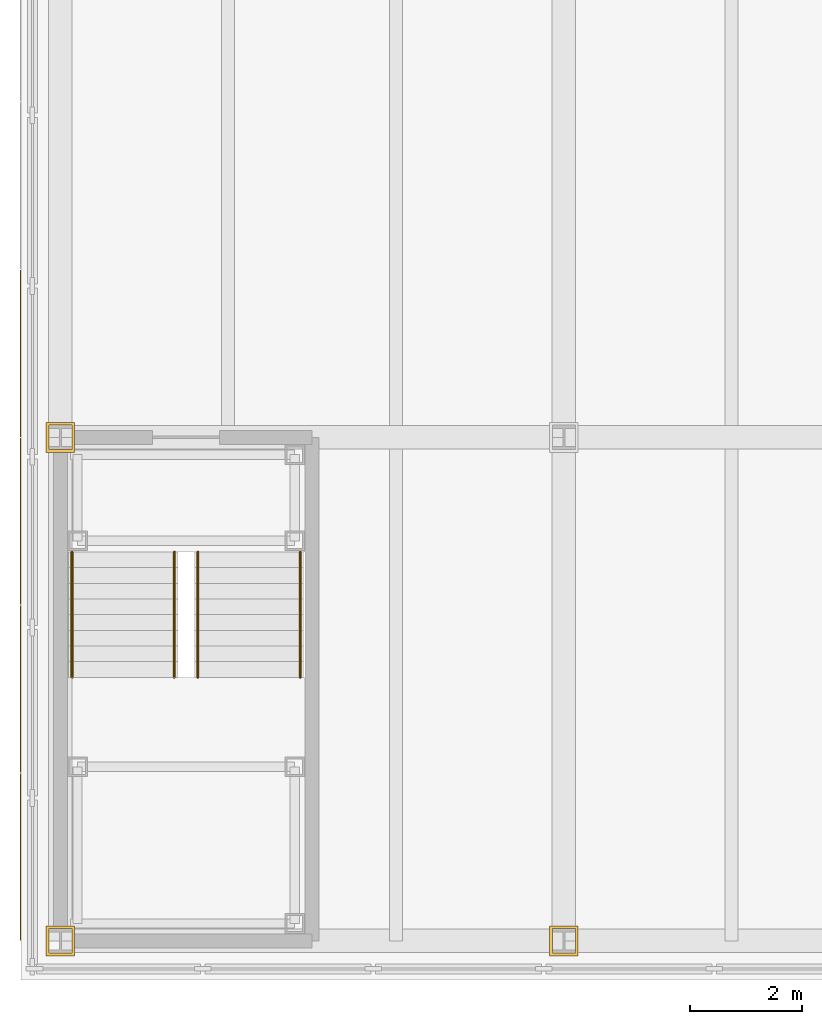
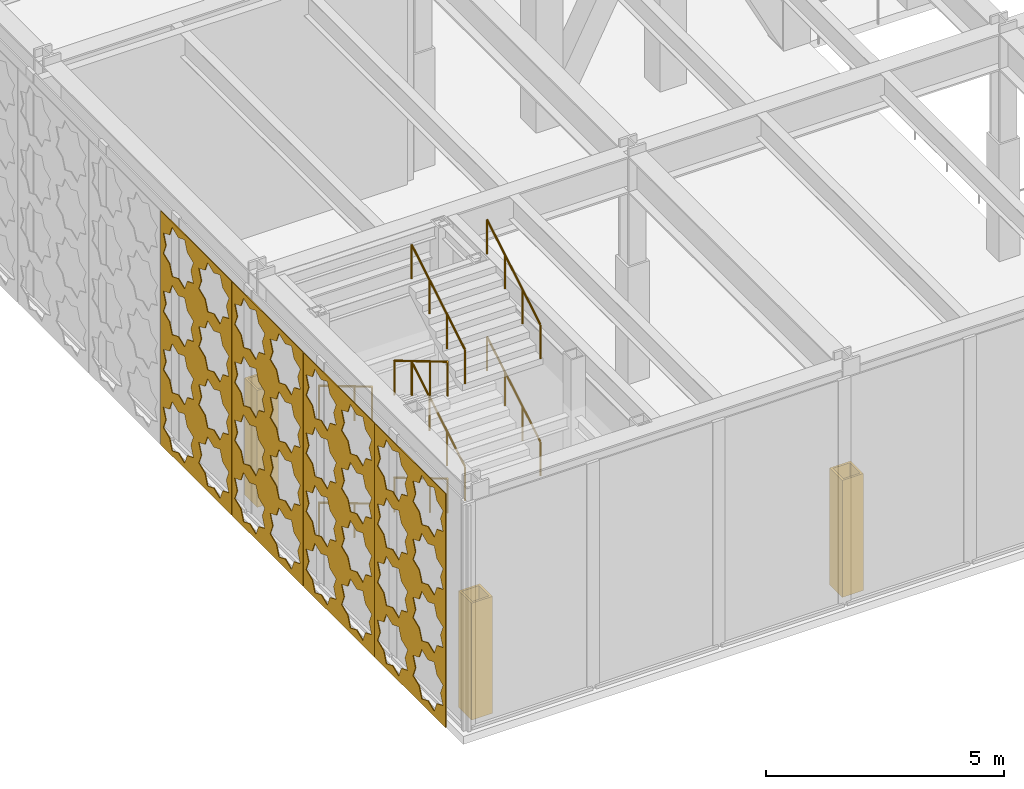
# One storey, part 23 of 32: 8 railings, 4 shading devices, 3 coverings.
"""IFC4 building model written with IfcOpenShell, lengths in metres."""

from ifc_helpers import new_model, si_unit, direction, frame, origin, origin_2d, place, context, subcontext, project, spatial, polyline, circle, outline, extrude, material, layer, layer_set, type_object, element, save


model = new_model("IFC4")

# Units and contexts
model_context = context("Model", 3, precision=1e-05, world=origin(), true_north=direction((0.0, 1.0)))
body_context = subcontext(model_context, "Body", "Model", "MODEL_VIEW")
ifc_project = project(units=[si_unit("LENGTHUNIT", "METRE"), si_unit("AREAUNIT", "SQUARE_METRE"), si_unit("VOLUMEUNIT", "CUBIC_METRE"), si_unit("PLANEANGLEUNIT", "RADIAN"), si_unit("MASSUNIT", "GRAM", prefix="KILO")], contexts=[model_context])

# Site, building, storey
site_placement = place(None, origin())
site = spatial("IfcSite", under=ifc_project, at=site_placement, CompositionType="ELEMENT")
building_placement = place(site_placement, origin())
building = spatial("IfcBuilding", under=site, at=building_placement, Name="Chuquiago Exchange Tower", CompositionType="ELEMENT")
storey_placement = place(building_placement, frame((0.0, 0.0, 13.5)))
storey = spatial("IfcBuildingStorey", under=building, at=storey_placement, Name="L02", CompositionType="ELEMENT", Elevation=13.5)

# Coverings
ifc_material_1 = material(Name="Pale metal sheet casing on rails", Category="aluminium")
ifc_layer_1 = layer(ifc_material_1, 0.050048828125)
ifc_layer_set_1 = layer_set([ifc_layer_1], Name="CS1 column casing 50")
covering_type = type_object("IfcCoveringType", Name="CS1 column casing 50", PredefinedType="CLADDING", material=ifc_layer_set_1)
covering_1_placement = place(storey_placement, origin())
element("IfcCovering", 1, at=covering_1_placement, inside=storey, type_object=covering_type, Name="Column casing L02", PredefinedType="CLADDING", context=body_context, shape_type="SweptSolid", body=[
    extrude(outline(polyline([(-9.255615234375, -18.26708984375), (-8.744384765625, -18.26708984375), (-8.744384765625, -17.73291015625), (-9.255615234375, -17.73291015625), (-9.255615234375, -18.26708984375)]), holes=[polyline([(-9.205810546875, -18.21728515625), (-9.205810546875, -17.78271484375), (-8.794189453125, -17.78271484375), (-8.794189453125, -18.21728515625), (-9.205810546875, -18.21728515625)])]), origin(), (0.0, 0.0, 1.0), 3.0),
])
covering_2_placement = place(storey_placement, origin())
element("IfcCovering", 2, at=covering_2_placement, inside=storey, type_object=covering_type, Name="Column casing L02", PredefinedType="CLADDING", context=body_context, shape_type="SweptSolid", body=[
    extrude(outline(polyline([(-9.255615234375, -9.26708984375), (-8.744384765625, -9.26708984375), (-8.744384765625, -8.73291015625), (-9.255615234375, -8.73291015625), (-9.255615234375, -9.26708984375)]), holes=[polyline([(-9.205810546875, -9.21728515625), (-9.205810546875, -8.78271484375), (-8.794189453125, -8.78271484375), (-8.794189453125, -9.21728515625), (-9.205810546875, -9.21728515625)])]), origin(), (0.0, 0.0, 1.0), 3.0),
])
covering_3_placement = place(storey_placement, origin())
element("IfcCovering", 3, at=covering_3_placement, inside=storey, type_object=covering_type, Name="Column casing L02", PredefinedType="CLADDING", context=body_context, shape_type="SweptSolid", body=[
    extrude(outline(polyline([(-0.255615234375, -18.26708984375), (0.255615234375, -18.26708984375), (0.255615234375, -17.73291015625), (-0.255615234375, -17.73291015625), (-0.255615234375, -18.26708984375)]), holes=[polyline([(-0.205810546875, -18.21728515625), (-0.205810546875, -17.78271484375), (0.205810546875, -17.78271484375), (0.205810546875, -18.21728515625), (-0.205810546875, -18.21728515625)])]), origin(), (0.0, 0.0, 1.0), 3.0),
])

# Railings
ifc_material_2 = material(Name="Pale metal handrail", Category="steel")
railing_type = type_object("IfcRailingType", Name="HR1 handrail 900", PredefinedType="HANDRAIL", material=ifc_material_2)
for number, where, name in (
    (4, (-8.7900390625, -11.050048828125, 0.166748046875), "Handrail PS1 L02 flight 1"),
    (5, (-6.9599609375, -11.050048828125, 0.166748046875), "Handrail PS1 L02 flight 1"),
):
    element("IfcRailing", number, at=place(storey_placement, frame(where)), inside=storey, type_object=railing_type, Name=name, PredefinedType="HANDRAIL", context=body_context, shape_type="SweptSolid", body=[
        extrude(circle(Radius=0.02392578125, at=origin_2d()), frame((0.0, 0.0, 0.8759765625), z_axis=(0.0, -0.859305625298, 0.511462454469), x_axis=(1.0, 0.0, 0.0)), (0.0, 0.0, 1.0), 2.606689453125),
        extrude(circle(Radius=0.02099609375, at=origin_2d()), origin(), (0.0, 0.0, 1.0), 0.851806640625),
        extrude(circle(Radius=0.02099609375, at=origin_2d()), frame((0.0, -0.74658203125, 0.4443359375)), (0.0, 0.0, 1.0), 0.851806640625),
        extrude(circle(Radius=0.02099609375, at=origin_2d()), frame((0.0, -1.493408203125, 0.888916015625)), (0.0, 0.0, 1.0), 0.851806640625),
        extrude(circle(Radius=0.02099609375, at=origin_2d()), frame((0.0, -2.239990234375, 1.333251953125)), (0.0, 0.0, 1.0), 0.851806640625),
    ])
for number, where, name in (
    (6, (-4.7099609375, -13.2900390625, 1.666748046875), "Handrail PS1 L02 flight 2"),
    (7, (-6.5400390625, -13.2900390625, 1.666748046875), "Handrail PS1 L02 flight 2"),
):
    element("IfcRailing", number, at=place(storey_placement, frame(where)), inside=storey, type_object=railing_type, Name=name, PredefinedType="HANDRAIL", context=body_context, shape_type="SweptSolid", body=[
        extrude(circle(Radius=0.02392578125, at=origin_2d()), frame((0.0, 0.0, 0.8759765625), z_axis=(0.0, 0.859305625298, 0.511462454469), x_axis=(-1.0, 0.0, 0.0)), (0.0, 0.0, 1.0), 2.606689453125),
        extrude(circle(Radius=0.02099609375, at=origin_2d()), origin(), (0.0, 0.0, 1.0), 0.851806640625),
        extrude(circle(Radius=0.02099609375, at=origin_2d()), frame((0.0, 0.74658203125, 0.4443359375)), (0.0, 0.0, 1.0), 0.851806640625),
        extrude(circle(Radius=0.02099609375, at=origin_2d()), frame((0.0, 1.493408203125, 0.888916015625)), (0.0, 0.0, 1.0), 0.851806640625),
        extrude(circle(Radius=0.02099609375, at=origin_2d()), frame((0.0, 2.239990234375, 1.333251953125)), (0.0, 0.0, 1.0), 0.851806640625),
    ])
for number, where, name in (
    (8, (-8.7900390625, -11.050048828125, 3.166748046875), "Handrail PS1 L02 flight 3"),
    (9, (-6.9599609375, -11.050048828125, 3.166748046875), "Handrail PS1 L02 flight 3"),
):
    element("IfcRailing", number, at=place(storey_placement, frame(where)), inside=storey, type_object=railing_type, Name=name, PredefinedType="HANDRAIL", context=body_context, shape_type="SweptSolid", body=[
        extrude(circle(Radius=0.02392578125, at=origin_2d()), frame((0.0, 0.0, 0.8759765625), z_axis=(0.0, -0.859305625298, 0.511462454469), x_axis=(1.0, 0.0, 0.0)), (0.0, 0.0, 1.0), 2.606689453125),
        extrude(circle(Radius=0.02099609375, at=origin_2d()), origin(), (0.0, 0.0, 1.0), 0.851806640625),
        extrude(circle(Radius=0.02099609375, at=origin_2d()), frame((0.0, -0.74658203125, 0.4443359375)), (0.0, 0.0, 1.0), 0.851806640625),
        extrude(circle(Radius=0.02099609375, at=origin_2d()), frame((0.0, -1.493408203125, 0.888916015625)), (0.0, 0.0, 1.0), 0.851806640625),
        extrude(circle(Radius=0.02099609375, at=origin_2d()), frame((0.0, -2.239990234375, 1.333251953125)), (0.0, 0.0, 1.0), 0.851806640625),
    ])
for number, where, name in (
    (10, (-4.7099609375, -13.2900390625, 4.666748046875), "Handrail PS1 L02 flight 4"),
    (11, (-6.5400390625, -13.2900390625, 4.666748046875), "Handrail PS1 L02 flight 4"),
):
    element("IfcRailing", number, at=place(storey_placement, frame(where)), inside=storey, type_object=railing_type, Name=name, PredefinedType="HANDRAIL", context=body_context, shape_type="SweptSolid", body=[
        extrude(circle(Radius=0.02392578125, at=origin_2d()), frame((0.0, 0.0, 0.8759765625), z_axis=(0.0, 0.859305625298, 0.511462454469), x_axis=(-1.0, 0.0, 0.0)), (0.0, 0.0, 1.0), 2.606689453125),
        extrude(circle(Radius=0.02099609375, at=origin_2d()), origin(), (0.0, 0.0, 1.0), 0.851806640625),
        extrude(circle(Radius=0.02099609375, at=origin_2d()), frame((0.0, 0.74658203125, 0.4443359375)), (0.0, 0.0, 1.0), 0.851806640625),
        extrude(circle(Radius=0.02099609375, at=origin_2d()), frame((0.0, 1.493408203125, 0.888916015625)), (0.0, 0.0, 1.0), 0.851806640625),
        extrude(circle(Radius=0.02099609375, at=origin_2d()), frame((0.0, 2.239990234375, 1.333251953125)), (0.0, 0.0, 1.0), 0.851806640625),
    ])

# Shading devices
ifc_material_3 = material(Name="Pale metal, perforated in an eight-point star pattern", Category="aluminium")
ifc_layer_2 = layer(ifc_material_3, 0.02001953125)
ifc_layer_set_2 = layer_set([ifc_layer_2], Name="SC1 mashrabiya screen 20")
shading_device_type = type_object("IfcShadingDeviceType", Name="SC1 mashrabiya screen 20", PredefinedType="SHUTTER", material=ifc_layer_set_2)
shading_device_1_placement = place(storey_placement, frame((-9.699951171875, -15.010009765625, -0.199951171875), z_axis=(0.0, 0.0, 1.0), x_axis=(0.0, -1.0, 0.0)))
element("IfcShadingDevice", 12, at=shading_device_1_placement, inside=storey, type_object=shading_device_type, Name="Mashrabiya screen L02 W 1", PredefinedType="SHUTTER", context=body_context, shape_type="SweptSolid", body=[
    extrude(outline(polyline([(0.0, 0.0), (2.97998046875, 0.0), (2.97998046875, 6.0), (0.0, 6.0), (0.0, 0.0)]), holes=[polyline([(1.26953125, 0.764892578125), (1.378173828125, 1.02734375), (1.115966796875, 1.135986328125), (1.00732421875, 1.398193359375), (0.7451171875, 1.28955078125), (0.482666015625, 1.398193359375), (0.3740234375, 1.135986328125), (0.11181640625, 1.02734375), (0.220458984375, 0.764892578125), (0.11181640625, 0.502685546875), (0.3740234375, 0.39404296875), (0.482666015625, 0.1318359375), (0.7451171875, 0.240234375), (1.00732421875, 0.1318359375), (1.115966796875, 0.39404296875), (1.378173828125, 0.502685546875), (1.26953125, 0.764892578125)]), polyline([(2.759521484375, 0.764892578125), (2.8681640625, 1.02734375), (2.60595703125, 1.135986328125), (2.497314453125, 1.398193359375), (2.235107421875, 1.28955078125), (1.97265625, 1.398193359375), (1.864013671875, 1.135986328125), (1.601806640625, 1.02734375), (1.71044921875, 0.764892578125), (1.601806640625, 0.502685546875), (1.864013671875, 0.39404296875), (1.97265625, 0.1318359375), (2.235107421875, 0.240234375), (2.497314453125, 0.1318359375), (2.60595703125, 0.39404296875), (2.8681640625, 0.502685546875), (2.759521484375, 0.764892578125)]), polyline([(1.26953125, 2.2548828125), (1.378173828125, 2.517333984375), (1.115966796875, 2.6259765625), (1.00732421875, 2.88818359375), (0.7451171875, 2.779541015625), (0.482666015625, 2.88818359375), (0.3740234375, 2.6259765625), (0.11181640625, 2.517333984375), (0.220458984375, 2.2548828125), (0.11181640625, 1.99267578125), (0.3740234375, 1.884033203125), (0.482666015625, 1.621826171875), (0.7451171875, 1.73046875), (1.00732421875, 1.621826171875), (1.115966796875, 1.884033203125), (1.378173828125, 1.99267578125), (1.26953125, 2.2548828125)]), polyline([(2.759521484375, 2.2548828125), (2.8681640625, 2.517333984375), (2.60595703125, 2.6259765625), (2.497314453125, 2.88818359375), (2.235107421875, 2.779541015625), (1.97265625, 2.88818359375), (1.864013671875, 2.6259765625), (1.601806640625, 2.517333984375), (1.71044921875, 2.2548828125), (1.601806640625, 1.99267578125), (1.864013671875, 1.884033203125), (1.97265625, 1.621826171875), (2.235107421875, 1.73046875), (2.497314453125, 1.621826171875), (2.60595703125, 1.884033203125), (2.8681640625, 1.99267578125), (2.759521484375, 2.2548828125)]), polyline([(1.26953125, 3.744873046875), (1.378173828125, 4.00732421875), (1.115966796875, 4.115966796875), (1.00732421875, 4.378173828125), (0.7451171875, 4.26953125), (0.482666015625, 4.378173828125), (0.3740234375, 4.115966796875), (0.11181640625, 4.00732421875), (0.220458984375, 3.744873046875), (0.11181640625, 3.482666015625), (0.3740234375, 3.3740234375), (0.482666015625, 3.11181640625), (0.7451171875, 3.220458984375), (1.00732421875, 3.11181640625), (1.115966796875, 3.3740234375), (1.378173828125, 3.482666015625), (1.26953125, 3.744873046875)]), polyline([(2.759521484375, 3.744873046875), (2.8681640625, 4.00732421875), (2.60595703125, 4.115966796875), (2.497314453125, 4.378173828125), (2.235107421875, 4.26953125), (1.97265625, 4.378173828125), (1.864013671875, 4.115966796875), (1.601806640625, 4.00732421875), (1.71044921875, 3.744873046875), (1.601806640625, 3.482666015625), (1.864013671875, 3.3740234375), (1.97265625, 3.11181640625), (2.235107421875, 3.220458984375), (2.497314453125, 3.11181640625), (2.60595703125, 3.3740234375), (2.8681640625, 3.482666015625), (2.759521484375, 3.744873046875)]), polyline([(1.26953125, 5.23486328125), (1.378173828125, 5.497314453125), (1.115966796875, 5.60595703125), (1.00732421875, 5.8681640625), (0.7451171875, 5.759521484375), (0.482666015625, 5.8681640625), (0.3740234375, 5.60595703125), (0.11181640625, 5.497314453125), (0.220458984375, 5.23486328125), (0.11181640625, 4.97265625), (0.3740234375, 4.864013671875), (0.482666015625, 4.601806640625), (0.7451171875, 4.71044921875), (1.00732421875, 4.601806640625), (1.115966796875, 4.864013671875), (1.378173828125, 4.97265625), (1.26953125, 5.23486328125)]), polyline([(2.759521484375, 5.23486328125), (2.8681640625, 5.497314453125), (2.60595703125, 5.60595703125), (2.497314453125, 5.8681640625), (2.235107421875, 5.759521484375), (1.97265625, 5.8681640625), (1.864013671875, 5.60595703125), (1.601806640625, 5.497314453125), (1.71044921875, 5.23486328125), (1.601806640625, 4.97265625), (1.864013671875, 4.864013671875), (1.97265625, 4.601806640625), (2.235107421875, 4.71044921875), (2.497314453125, 4.601806640625), (2.60595703125, 4.864013671875), (2.8681640625, 4.97265625), (2.759521484375, 5.23486328125)])]), frame((0.0, 0.0, 0.0), z_axis=(0.0, -1.0, 0.0), x_axis=(1.0, 0.0, 0.0)), (0.0, 0.0, 1.0), 0.02001953125),
])
shading_device_2_placement = place(storey_placement, frame((-9.699951171875, -12.010009765625, -0.199951171875), z_axis=(0.0, 0.0, 1.0), x_axis=(0.0, -1.0, 0.0)))
element("IfcShadingDevice", 13, at=shading_device_2_placement, inside=storey, type_object=shading_device_type, Name="Mashrabiya screen L02 W 2", PredefinedType="SHUTTER", context=body_context, shape_type="SweptSolid", body=[
    extrude(outline(polyline([(0.0, 0.0), (2.97998046875, 0.0), (2.97998046875, 6.0), (0.0, 6.0), (0.0, 0.0)]), holes=[polyline([(1.26953125, 0.764892578125), (1.378173828125, 1.02734375), (1.115966796875, 1.135986328125), (1.00732421875, 1.398193359375), (0.7451171875, 1.28955078125), (0.482666015625, 1.398193359375), (0.3740234375, 1.135986328125), (0.11181640625, 1.02734375), (0.220458984375, 0.764892578125), (0.11181640625, 0.502685546875), (0.3740234375, 0.39404296875), (0.482666015625, 0.1318359375), (0.7451171875, 0.240234375), (1.00732421875, 0.1318359375), (1.115966796875, 0.39404296875), (1.378173828125, 0.502685546875), (1.26953125, 0.764892578125)]), polyline([(2.759521484375, 0.764892578125), (2.8681640625, 1.02734375), (2.60595703125, 1.135986328125), (2.497314453125, 1.398193359375), (2.235107421875, 1.28955078125), (1.97265625, 1.398193359375), (1.864013671875, 1.135986328125), (1.601806640625, 1.02734375), (1.71044921875, 0.764892578125), (1.601806640625, 0.502685546875), (1.864013671875, 0.39404296875), (1.97265625, 0.1318359375), (2.235107421875, 0.240234375), (2.497314453125, 0.1318359375), (2.60595703125, 0.39404296875), (2.8681640625, 0.502685546875), (2.759521484375, 0.764892578125)]), polyline([(1.26953125, 2.2548828125), (1.378173828125, 2.517333984375), (1.115966796875, 2.6259765625), (1.00732421875, 2.88818359375), (0.7451171875, 2.779541015625), (0.482666015625, 2.88818359375), (0.3740234375, 2.6259765625), (0.11181640625, 2.517333984375), (0.220458984375, 2.2548828125), (0.11181640625, 1.99267578125), (0.3740234375, 1.884033203125), (0.482666015625, 1.621826171875), (0.7451171875, 1.73046875), (1.00732421875, 1.621826171875), (1.115966796875, 1.884033203125), (1.378173828125, 1.99267578125), (1.26953125, 2.2548828125)]), polyline([(2.759521484375, 2.2548828125), (2.8681640625, 2.517333984375), (2.60595703125, 2.6259765625), (2.497314453125, 2.88818359375), (2.235107421875, 2.779541015625), (1.97265625, 2.88818359375), (1.864013671875, 2.6259765625), (1.601806640625, 2.517333984375), (1.71044921875, 2.2548828125), (1.601806640625, 1.99267578125), (1.864013671875, 1.884033203125), (1.97265625, 1.621826171875), (2.235107421875, 1.73046875), (2.497314453125, 1.621826171875), (2.60595703125, 1.884033203125), (2.8681640625, 1.99267578125), (2.759521484375, 2.2548828125)]), polyline([(1.26953125, 3.744873046875), (1.378173828125, 4.00732421875), (1.115966796875, 4.115966796875), (1.00732421875, 4.378173828125), (0.7451171875, 4.26953125), (0.482666015625, 4.378173828125), (0.3740234375, 4.115966796875), (0.11181640625, 4.00732421875), (0.220458984375, 3.744873046875), (0.11181640625, 3.482666015625), (0.3740234375, 3.3740234375), (0.482666015625, 3.11181640625), (0.7451171875, 3.220458984375), (1.00732421875, 3.11181640625), (1.115966796875, 3.3740234375), (1.378173828125, 3.482666015625), (1.26953125, 3.744873046875)]), polyline([(2.759521484375, 3.744873046875), (2.8681640625, 4.00732421875), (2.60595703125, 4.115966796875), (2.497314453125, 4.378173828125), (2.235107421875, 4.26953125), (1.97265625, 4.378173828125), (1.864013671875, 4.115966796875), (1.601806640625, 4.00732421875), (1.71044921875, 3.744873046875), (1.601806640625, 3.482666015625), (1.864013671875, 3.3740234375), (1.97265625, 3.11181640625), (2.235107421875, 3.220458984375), (2.497314453125, 3.11181640625), (2.60595703125, 3.3740234375), (2.8681640625, 3.482666015625), (2.759521484375, 3.744873046875)]), polyline([(1.26953125, 5.23486328125), (1.378173828125, 5.497314453125), (1.115966796875, 5.60595703125), (1.00732421875, 5.8681640625), (0.7451171875, 5.759521484375), (0.482666015625, 5.8681640625), (0.3740234375, 5.60595703125), (0.11181640625, 5.497314453125), (0.220458984375, 5.23486328125), (0.11181640625, 4.97265625), (0.3740234375, 4.864013671875), (0.482666015625, 4.601806640625), (0.7451171875, 4.71044921875), (1.00732421875, 4.601806640625), (1.115966796875, 4.864013671875), (1.378173828125, 4.97265625), (1.26953125, 5.23486328125)]), polyline([(2.759521484375, 5.23486328125), (2.8681640625, 5.497314453125), (2.60595703125, 5.60595703125), (2.497314453125, 5.8681640625), (2.235107421875, 5.759521484375), (1.97265625, 5.8681640625), (1.864013671875, 5.60595703125), (1.601806640625, 5.497314453125), (1.71044921875, 5.23486328125), (1.601806640625, 4.97265625), (1.864013671875, 4.864013671875), (1.97265625, 4.601806640625), (2.235107421875, 4.71044921875), (2.497314453125, 4.601806640625), (2.60595703125, 4.864013671875), (2.8681640625, 4.97265625), (2.759521484375, 5.23486328125)])]), frame((0.0, 0.0, 0.0), z_axis=(0.0, -1.0, 0.0), x_axis=(1.0, 0.0, 0.0)), (0.0, 0.0, 1.0), 0.02001953125),
])
shading_device_3_placement = place(storey_placement, frame((-9.699951171875, -9.010009765625, -0.199951171875), z_axis=(0.0, 0.0, 1.0), x_axis=(0.0, -1.0, 0.0)))
element("IfcShadingDevice", 14, at=shading_device_3_placement, inside=storey, type_object=shading_device_type, Name="Mashrabiya screen L02 W 3", PredefinedType="SHUTTER", context=body_context, shape_type="SweptSolid", body=[
    extrude(outline(polyline([(0.0, 0.0), (2.97998046875, 0.0), (2.97998046875, 6.0), (0.0, 6.0), (0.0, 0.0)]), holes=[polyline([(1.26953125, 0.764892578125), (1.378173828125, 1.02734375), (1.115966796875, 1.135986328125), (1.00732421875, 1.398193359375), (0.7451171875, 1.28955078125), (0.482666015625, 1.398193359375), (0.3740234375, 1.135986328125), (0.11181640625, 1.02734375), (0.220458984375, 0.764892578125), (0.11181640625, 0.502685546875), (0.3740234375, 0.39404296875), (0.482666015625, 0.1318359375), (0.7451171875, 0.240234375), (1.00732421875, 0.1318359375), (1.115966796875, 0.39404296875), (1.378173828125, 0.502685546875), (1.26953125, 0.764892578125)]), polyline([(2.759521484375, 0.764892578125), (2.8681640625, 1.02734375), (2.60595703125, 1.135986328125), (2.497314453125, 1.398193359375), (2.235107421875, 1.28955078125), (1.97265625, 1.398193359375), (1.864013671875, 1.135986328125), (1.601806640625, 1.02734375), (1.71044921875, 0.764892578125), (1.601806640625, 0.502685546875), (1.864013671875, 0.39404296875), (1.97265625, 0.1318359375), (2.235107421875, 0.240234375), (2.497314453125, 0.1318359375), (2.60595703125, 0.39404296875), (2.8681640625, 0.502685546875), (2.759521484375, 0.764892578125)]), polyline([(1.26953125, 2.2548828125), (1.378173828125, 2.517333984375), (1.115966796875, 2.6259765625), (1.00732421875, 2.88818359375), (0.7451171875, 2.779541015625), (0.482666015625, 2.88818359375), (0.3740234375, 2.6259765625), (0.11181640625, 2.517333984375), (0.220458984375, 2.2548828125), (0.11181640625, 1.99267578125), (0.3740234375, 1.884033203125), (0.482666015625, 1.621826171875), (0.7451171875, 1.73046875), (1.00732421875, 1.621826171875), (1.115966796875, 1.884033203125), (1.378173828125, 1.99267578125), (1.26953125, 2.2548828125)]), polyline([(2.759521484375, 2.2548828125), (2.8681640625, 2.517333984375), (2.60595703125, 2.6259765625), (2.497314453125, 2.88818359375), (2.235107421875, 2.779541015625), (1.97265625, 2.88818359375), (1.864013671875, 2.6259765625), (1.601806640625, 2.517333984375), (1.71044921875, 2.2548828125), (1.601806640625, 1.99267578125), (1.864013671875, 1.884033203125), (1.97265625, 1.621826171875), (2.235107421875, 1.73046875), (2.497314453125, 1.621826171875), (2.60595703125, 1.884033203125), (2.8681640625, 1.99267578125), (2.759521484375, 2.2548828125)]), polyline([(1.26953125, 3.744873046875), (1.378173828125, 4.00732421875), (1.115966796875, 4.115966796875), (1.00732421875, 4.378173828125), (0.7451171875, 4.26953125), (0.482666015625, 4.378173828125), (0.3740234375, 4.115966796875), (0.11181640625, 4.00732421875), (0.220458984375, 3.744873046875), (0.11181640625, 3.482666015625), (0.3740234375, 3.3740234375), (0.482666015625, 3.11181640625), (0.7451171875, 3.220458984375), (1.00732421875, 3.11181640625), (1.115966796875, 3.3740234375), (1.378173828125, 3.482666015625), (1.26953125, 3.744873046875)]), polyline([(2.759521484375, 3.744873046875), (2.8681640625, 4.00732421875), (2.60595703125, 4.115966796875), (2.497314453125, 4.378173828125), (2.235107421875, 4.26953125), (1.97265625, 4.378173828125), (1.864013671875, 4.115966796875), (1.601806640625, 4.00732421875), (1.71044921875, 3.744873046875), (1.601806640625, 3.482666015625), (1.864013671875, 3.3740234375), (1.97265625, 3.11181640625), (2.235107421875, 3.220458984375), (2.497314453125, 3.11181640625), (2.60595703125, 3.3740234375), (2.8681640625, 3.482666015625), (2.759521484375, 3.744873046875)]), polyline([(1.26953125, 5.23486328125), (1.378173828125, 5.497314453125), (1.115966796875, 5.60595703125), (1.00732421875, 5.8681640625), (0.7451171875, 5.759521484375), (0.482666015625, 5.8681640625), (0.3740234375, 5.60595703125), (0.11181640625, 5.497314453125), (0.220458984375, 5.23486328125), (0.11181640625, 4.97265625), (0.3740234375, 4.864013671875), (0.482666015625, 4.601806640625), (0.7451171875, 4.71044921875), (1.00732421875, 4.601806640625), (1.115966796875, 4.864013671875), (1.378173828125, 4.97265625), (1.26953125, 5.23486328125)]), polyline([(2.759521484375, 5.23486328125), (2.8681640625, 5.497314453125), (2.60595703125, 5.60595703125), (2.497314453125, 5.8681640625), (2.235107421875, 5.759521484375), (1.97265625, 5.8681640625), (1.864013671875, 5.60595703125), (1.601806640625, 5.497314453125), (1.71044921875, 5.23486328125), (1.601806640625, 4.97265625), (1.864013671875, 4.864013671875), (1.97265625, 4.601806640625), (2.235107421875, 4.71044921875), (2.497314453125, 4.601806640625), (2.60595703125, 4.864013671875), (2.8681640625, 4.97265625), (2.759521484375, 5.23486328125)])]), frame((0.0, 0.0, 0.0), z_axis=(0.0, -1.0, 0.0), x_axis=(1.0, 0.0, 0.0)), (0.0, 0.0, 1.0), 0.02001953125),
])
shading_device_4_placement = place(storey_placement, frame((-9.699951171875, -6.010009765625, -0.199951171875), z_axis=(0.0, 0.0, 1.0), x_axis=(0.0, -1.0, 0.0)))
element("IfcShadingDevice", 15, at=shading_device_4_placement, inside=storey, type_object=shading_device_type, Name="Mashrabiya screen L02 W 4", PredefinedType="SHUTTER", context=body_context, shape_type="SweptSolid", body=[
    extrude(outline(polyline([(0.0, 0.0), (2.97998046875, 0.0), (2.97998046875, 6.0), (0.0, 6.0), (0.0, 0.0)]), holes=[polyline([(1.26953125, 0.764892578125), (1.378173828125, 1.02734375), (1.115966796875, 1.135986328125), (1.00732421875, 1.398193359375), (0.7451171875, 1.28955078125), (0.482666015625, 1.398193359375), (0.3740234375, 1.135986328125), (0.11181640625, 1.02734375), (0.220458984375, 0.764892578125), (0.11181640625, 0.502685546875), (0.3740234375, 0.39404296875), (0.482666015625, 0.1318359375), (0.7451171875, 0.240234375), (1.00732421875, 0.1318359375), (1.115966796875, 0.39404296875), (1.378173828125, 0.502685546875), (1.26953125, 0.764892578125)]), polyline([(2.759521484375, 0.764892578125), (2.8681640625, 1.02734375), (2.60595703125, 1.135986328125), (2.497314453125, 1.398193359375), (2.235107421875, 1.28955078125), (1.97265625, 1.398193359375), (1.864013671875, 1.135986328125), (1.601806640625, 1.02734375), (1.71044921875, 0.764892578125), (1.601806640625, 0.502685546875), (1.864013671875, 0.39404296875), (1.97265625, 0.1318359375), (2.235107421875, 0.240234375), (2.497314453125, 0.1318359375), (2.60595703125, 0.39404296875), (2.8681640625, 0.502685546875), (2.759521484375, 0.764892578125)]), polyline([(1.26953125, 2.2548828125), (1.378173828125, 2.517333984375), (1.115966796875, 2.6259765625), (1.00732421875, 2.88818359375), (0.7451171875, 2.779541015625), (0.482666015625, 2.88818359375), (0.3740234375, 2.6259765625), (0.11181640625, 2.517333984375), (0.220458984375, 2.2548828125), (0.11181640625, 1.99267578125), (0.3740234375, 1.884033203125), (0.482666015625, 1.621826171875), (0.7451171875, 1.73046875), (1.00732421875, 1.621826171875), (1.115966796875, 1.884033203125), (1.378173828125, 1.99267578125), (1.26953125, 2.2548828125)]), polyline([(2.759521484375, 2.2548828125), (2.8681640625, 2.517333984375), (2.60595703125, 2.6259765625), (2.497314453125, 2.88818359375), (2.235107421875, 2.779541015625), (1.97265625, 2.88818359375), (1.864013671875, 2.6259765625), (1.601806640625, 2.517333984375), (1.71044921875, 2.2548828125), (1.601806640625, 1.99267578125), (1.864013671875, 1.884033203125), (1.97265625, 1.621826171875), (2.235107421875, 1.73046875), (2.497314453125, 1.621826171875), (2.60595703125, 1.884033203125), (2.8681640625, 1.99267578125), (2.759521484375, 2.2548828125)]), polyline([(1.26953125, 3.744873046875), (1.378173828125, 4.00732421875), (1.115966796875, 4.115966796875), (1.00732421875, 4.378173828125), (0.7451171875, 4.26953125), (0.482666015625, 4.378173828125), (0.3740234375, 4.115966796875), (0.11181640625, 4.00732421875), (0.220458984375, 3.744873046875), (0.11181640625, 3.482666015625), (0.3740234375, 3.3740234375), (0.482666015625, 3.11181640625), (0.7451171875, 3.220458984375), (1.00732421875, 3.11181640625), (1.115966796875, 3.3740234375), (1.378173828125, 3.482666015625), (1.26953125, 3.744873046875)]), polyline([(2.759521484375, 3.744873046875), (2.8681640625, 4.00732421875), (2.60595703125, 4.115966796875), (2.497314453125, 4.378173828125), (2.235107421875, 4.26953125), (1.97265625, 4.378173828125), (1.864013671875, 4.115966796875), (1.601806640625, 4.00732421875), (1.71044921875, 3.744873046875), (1.601806640625, 3.482666015625), (1.864013671875, 3.3740234375), (1.97265625, 3.11181640625), (2.235107421875, 3.220458984375), (2.497314453125, 3.11181640625), (2.60595703125, 3.3740234375), (2.8681640625, 3.482666015625), (2.759521484375, 3.744873046875)]), polyline([(1.26953125, 5.23486328125), (1.378173828125, 5.497314453125), (1.115966796875, 5.60595703125), (1.00732421875, 5.8681640625), (0.7451171875, 5.759521484375), (0.482666015625, 5.8681640625), (0.3740234375, 5.60595703125), (0.11181640625, 5.497314453125), (0.220458984375, 5.23486328125), (0.11181640625, 4.97265625), (0.3740234375, 4.864013671875), (0.482666015625, 4.601806640625), (0.7451171875, 4.71044921875), (1.00732421875, 4.601806640625), (1.115966796875, 4.864013671875), (1.378173828125, 4.97265625), (1.26953125, 5.23486328125)]), polyline([(2.759521484375, 5.23486328125), (2.8681640625, 5.497314453125), (2.60595703125, 5.60595703125), (2.497314453125, 5.8681640625), (2.235107421875, 5.759521484375), (1.97265625, 5.8681640625), (1.864013671875, 5.60595703125), (1.601806640625, 5.497314453125), (1.71044921875, 5.23486328125), (1.601806640625, 4.97265625), (1.864013671875, 4.864013671875), (1.97265625, 4.601806640625), (2.235107421875, 4.71044921875), (2.497314453125, 4.601806640625), (2.60595703125, 4.864013671875), (2.8681640625, 4.97265625), (2.759521484375, 5.23486328125)])]), frame((0.0, 0.0, 0.0), z_axis=(0.0, -1.0, 0.0), x_axis=(1.0, 0.0, 0.0)), (0.0, 0.0, 1.0), 0.02001953125),
])

save(model, "model.ifc")
